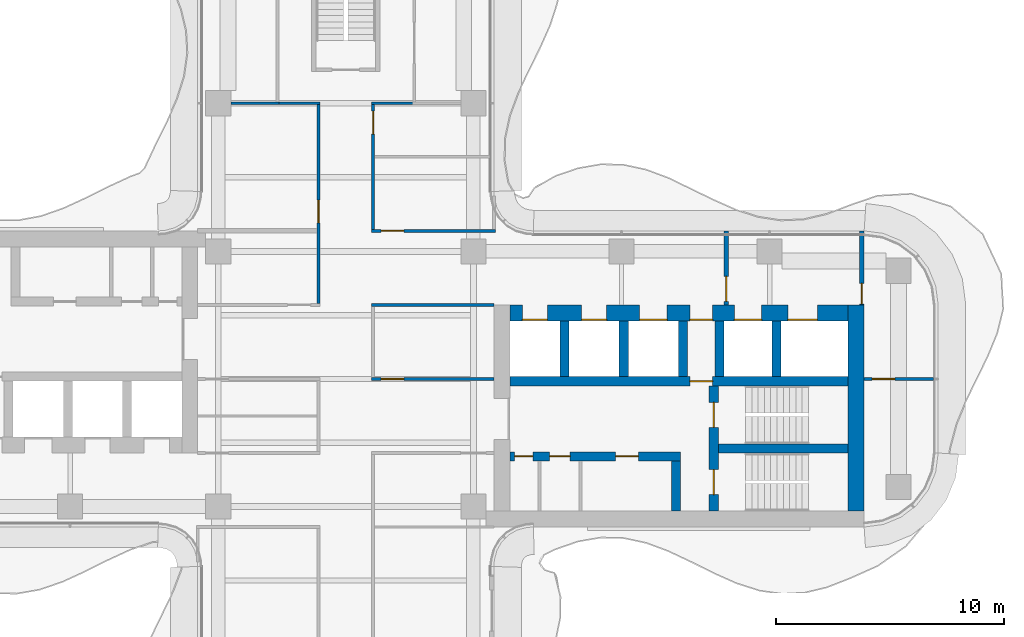
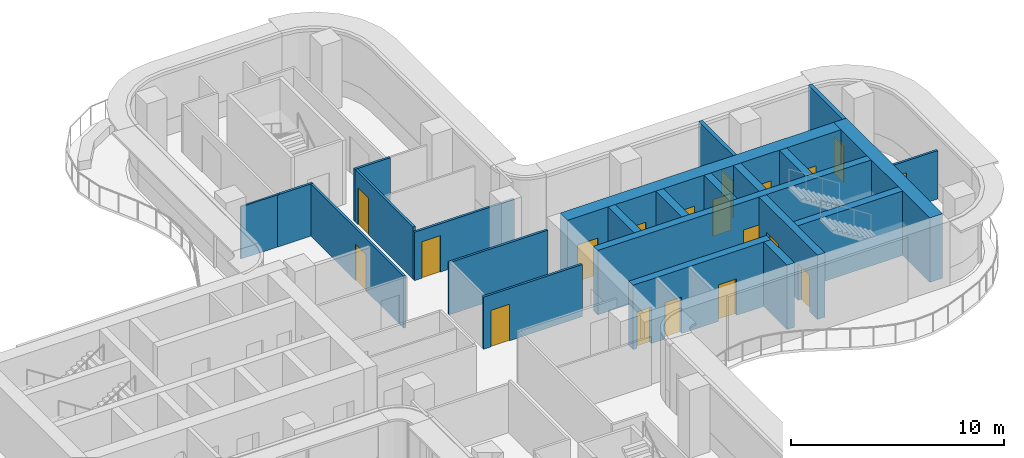
# One storey, part 14 of 17: 23 walls, 19 doors, 19 openings.
"""IFC4 building model written with IfcOpenShell, lengths in metres."""

from ifc_helpers import new_model, si_unit, direction, frame, frame_2d, origin, place, context, subcontext, project, spatial, rectangle, extrude, source, transform, mapped, material, layer, layer_set, type_object, element, fill, save


model = new_model("IFC4")

# Units and contexts
model_context = context("Model", 3, precision=1e-05, world=origin(), true_north=direction((0.0, 1.0)))
body_context = subcontext(model_context, "Body", "Model", "MODEL_VIEW")
ifc_project = project(units=[si_unit("LENGTHUNIT", "METRE"), si_unit("AREAUNIT", "SQUARE_METRE"), si_unit("VOLUMEUNIT", "CUBIC_METRE"), si_unit("PLANEANGLEUNIT", "RADIAN"), si_unit("MASSUNIT", "GRAM", prefix="KILO")], contexts=[model_context])

# Site, building, storey
site_placement = place(None, origin())
site = spatial("IfcSite", under=ifc_project, at=site_placement, CompositionType="ELEMENT")
building_placement = place(site_placement, origin())
building = spatial("IfcBuilding", under=site, at=building_placement, Name="Trellis Farm Tower", CompositionType="ELEMENT")
storey_placement = place(building_placement, frame((0.0, 0.0, 244.10009765625)))
storey = spatial("IfcBuildingStorey", under=building, at=storey_placement, Name="L54", CompositionType="ELEMENT", Elevation=244.10009765625)

# Walls
ifc_material_1 = material(Name="Concrete C60/75", Category="concrete")
ifc_layer_1 = layer(ifc_material_1, 0.699951171875)
ifc_layer_set_1 = layer_set([ifc_layer_1], Name="CORE OUTER WALL 700 CONCRETE C60/75")
wall_type_1 = type_object("IfcWallType", Name="CORE OUTER WALL 700 CONCRETE C60/75", PredefinedType="SHEAR", material=ifc_layer_set_1)
shared_shape_1 = source(origin(), body_context, "Body", "SweptSolid", [
    extrude(rectangle(XDim=9.050048828125, YDim=0.699951171875, at=frame_2d((4.52490234375, 0.0))), origin(), (0.0, 0.0, 1.0), 3.699951171875),
])
wall_1_placement = place(storey_placement, frame((22.39990234375, -5.800048828125, 0.0), z_axis=(0.0, 0.0, 1.0), x_axis=(0.0, 1.0, 0.0)))
element("IfcWall", 1, at=wall_1_placement, inside=storey, type_object=wall_type_1, Name="Core wall", PredefinedType="SHEAR", context=body_context, shape_type="MappedRepresentation", body=[
    mapped(shared_shape_1, transform((0.0, 0.0, 0.0))),
])
ifc_layer_2 = layer(ifc_material_1, 0.39990234375)
ifc_layer_set_2 = layer_set([ifc_layer_2], Name="CORE INNER WALL 400 CONCRETE C60/75")
wall_type_2 = type_object("IfcWallType", Name="CORE INNER WALL 400 CONCRETE C60/75", PredefinedType="SHEAR", material=ifc_layer_set_2)
shared_shape_2 = source(origin(), body_context, "Body", "SweptSolid", [
    extrude(rectangle(XDim=2.449951171875, YDim=0.39990234375, at=frame_2d((1.22509765625, 0.0))), origin(), (0.0, 0.0, 1.0), 3.699951171875),
])
for number, where, z_axis, x_axis, name in (
    (2, (9.60009765625, 0.10009765625, 0.0), (0.0, 0.0, 1.0), (0.0, 1.0, 0.0), "Core wall"),
    (3, (12.199951171875, 0.10009765625, 0.0), (0.0, 0.0, 1.0), (0.0, 1.0, 0.0), "Core wall"),
    (4, (14.800048828125, 0.10009765625, 0.0), (0.0, 0.0, 1.0), (0.0, 1.0, 0.0), "Core wall"),
    (5, (16.39990234375, 0.10009765625, 0.0), (0.0, 0.0, 1.0), (0.0, 1.0, 0.0), "Core wall"),
    (6, (18.89990234375, 0.10009765625, 0.0), (0.0, 0.0, 1.0), (0.0, 1.0, 0.0), "Core wall"),
):
    element("IfcWall", number, at=place(storey_placement, frame(where, z_axis=z_axis, x_axis=x_axis)), inside=storey, type_object=wall_type_2, Name=name, PredefinedType="SHEAR", context=body_context, shape_type="MappedRepresentation", body=[
        mapped(shared_shape_2, transform((0.0, 0.0, 0.0))),
    ])

# Wall, opening, door
ifc_material_2 = material(Name="Masonry blockwork", Category="masonry")
ifc_layer_3 = layer(ifc_material_2, 0.199951171875)
ifc_layer_set_3 = layer_set([ifc_layer_3], Name="FIRE LOBBY PARTITION 200 BLOCKWORK")
wall_type_3 = type_object("IfcWallType", Name="FIRE LOBBY PARTITION 200 BLOCKWORK", PredefinedType="PARTITIONING", material=ifc_layer_set_3)
shared_shape_3 = source(origin(), body_context, "Body", "SweptSolid", [
    extrude(rectangle(XDim=3.25, YDim=0.199951171875, at=frame_2d((1.625, 0.0))), origin(), (0.0, 0.0, 1.0), 3.699951171875),
])
wall_2_placement = place(storey_placement, frame((16.699951171875, 3.25, 0.0), z_axis=(0.0, 0.0, 1.0), x_axis=(0.0, 1.0, 0.0)))
wall_2 = element("IfcWall", 7, at=wall_2_placement, inside=storey, type_object=wall_type_3, Name="Fire-fighting lobby partition", PredefinedType="PARTITIONING", context=body_context, shape_type="MappedRepresentation", body=[
    mapped(shared_shape_3, transform((0.0, 0.0, 0.0))),
])
shared_shape_4 = source(origin(), body_context, "Body", "SweptSolid", [
    extrude(rectangle(XDim=1.10009765625, YDim=2.10009765625, at=frame_2d((0.550048828125, 1.050048828125))), frame((0.0, 0.110107421875, 0.0), z_axis=(0.0, -1.0, 0.0), x_axis=(1.0, 0.0, 0.0)), (0.0, 0.0, 1.0), 0.22021484375),
])
opening_1_placement = place(wall_2_placement, frame((0.14990234375, 0.0, 0.0)))
opening_1 = element("IfcOpeningElement", 8, at=opening_1_placement, cuts=wall_2, Name="Opening DC7", PredefinedType="OPENING", context=body_context, shape_type="MappedRepresentation", body=[
    mapped(shared_shape_4, transform((0.0, 0.0, 0.0))),
])
ifc_material_3 = material(Name="Steel", Category="steel")
door_type_1 = type_object("IfcDoorType", Name="CORE FIRE DOOR 1100 X 2100", OperationType="NOTDEFINED", PredefinedType="DOOR", material=ifc_material_3)
shared_shape_5 = source(origin(), body_context, "Body", "SweptSolid", [
    extrude(rectangle(XDim=1.10009765625, YDim=2.10009765625, at=frame_2d((0.550048828125, 1.050048828125))), frame((0.0, 0.02490234375, 0.0), z_axis=(0.0, -1.0, 0.0), x_axis=(1.0, 0.0, 0.0)), (0.0, 0.0, 1.0), 0.050048828125),
])
door_1_placement = place(opening_1_placement, origin())
door_1 = element("IfcDoor", 9, at=door_1_placement, inside=storey, type_object=door_type_1, Name="Core door", OperationType="SINGLE_SWING_RIGHT", OverallHeight=2.10009765625, OverallWidth=1.10009765625, PredefinedType="DOOR", context=body_context, shape_type="MappedRepresentation", body=[
    mapped(shared_shape_5, transform((0.0, 0.0, 0.0))),
])
fill(opening_1, door_1)

wall_3_placement = place(storey_placement, frame((22.64990234375, 3.25, 0.0), z_axis=(0.0, 0.0, 1.0), x_axis=(0.0, 1.0, 0.0)))
wall_3 = element("IfcWall", 10, at=wall_3_placement, inside=storey, type_object=wall_type_3, Name="Fire-fighting lobby partition", PredefinedType="PARTITIONING", context=body_context, shape_type="MappedRepresentation", body=[
    mapped(shared_shape_3, transform((0.0, 0.0, 0.0))),
])
shared_shape_6 = source(origin(), body_context, "Body", "SweptSolid", [
    extrude(rectangle(XDim=0.89990234375, YDim=2.10009765625, at=frame_2d((0.449951171875, 1.050048828125))), frame((0.0, 0.110107421875, 0.0), z_axis=(0.0, -1.0, 0.0), x_axis=(1.0, 0.0, 0.0)), (0.0, 0.0, 1.0), 0.22021484375),
])
opening_2_placement = place(wall_3_placement, frame((0.050048828125, 0.0, 0.0)))
opening_2 = element("IfcOpeningElement", 11, at=opening_2_placement, cuts=wall_3, Name="Opening DC8", PredefinedType="OPENING", context=body_context, shape_type="MappedRepresentation", body=[
    mapped(shared_shape_6, transform((0.0, 0.0, 0.0))),
])
door_type_2 = type_object("IfcDoorType", Name="CORE FIRE DOOR 900 X 2100", OperationType="NOTDEFINED", PredefinedType="DOOR", material=ifc_material_3)
shared_shape_7 = source(origin(), body_context, "Body", "SweptSolid", [
    extrude(rectangle(XDim=0.89990234375, YDim=2.10009765625, at=frame_2d((0.449951171875, 1.050048828125))), frame((0.0, 0.02490234375, 0.0), z_axis=(0.0, -1.0, 0.0), x_axis=(1.0, 0.0, 0.0)), (0.0, 0.0, 1.0), 0.050048828125),
])
door_2_placement = place(opening_2_placement, origin())
door_2 = element("IfcDoor", 12, at=door_2_placement, inside=storey, type_object=door_type_2, Name="Core door", OperationType="SINGLE_SWING_RIGHT", OverallHeight=2.10009765625, OverallWidth=0.89990234375, PredefinedType="DOOR", context=body_context, shape_type="MappedRepresentation", body=[
    mapped(shared_shape_7, transform((0.0, 0.0, 0.0))),
])
fill(opening_2, door_2)

# Wall, openings, doors
shared_shape_8 = source(origin(), body_context, "Body", "SweptSolid", [
    extrude(rectangle(XDim=14.85009765625, YDim=0.699951171875, at=frame_2d((7.425048828125, 0.0))), origin(), (0.0, 0.0, 1.0), 3.699951171875),
])
wall_4_placement = place(storey_placement, frame((7.199951171875, 2.89990234375, 0.0), z_axis=(0.0, 0.0, 1.0), x_axis=(1.0, 0.0, 0.0)))
wall_4 = element("IfcWall", 13, at=wall_4_placement, inside=storey, type_object=wall_type_1, Name="Core wall", PredefinedType="SHEAR", context=body_context, shape_type="MappedRepresentation", body=[
    mapped(shared_shape_8, transform((0.0, 0.0, 0.0))),
])
shared_shape_9 = source(origin(), body_context, "Body", "SweptSolid", [
    extrude(rectangle(XDim=1.10009765625, YDim=2.10009765625, at=frame_2d((0.550048828125, 1.050048828125))), frame((0.0, 0.360107421875, 0.0), z_axis=(0.0, -1.0, 0.0), x_axis=(1.0, 0.0, 0.0)), (0.0, 0.0, 1.0), 0.72021484375),
])
opening_3_placement = place(wall_4_placement, frame((0.550048828125, 0.0, 0.0)))
opening_3 = element("IfcOpeningElement", 14, at=opening_3_placement, cuts=wall_4, Name="Opening LD4", PredefinedType="OPENING", context=body_context, shape_type="MappedRepresentation", body=[
    mapped(shared_shape_9, transform((0.0, 0.0, 0.0))),
])
opening_4_placement = place(wall_4_placement, frame((3.14990234375, 0.0, 0.0)))
opening_4 = element("IfcOpeningElement", 15, at=opening_4_placement, cuts=wall_4, Name="Opening LD5", PredefinedType="OPENING", context=body_context, shape_type="MappedRepresentation", body=[
    mapped(shared_shape_9, transform((0.0, 0.0, 0.0))),
])
shared_shape_10 = source(origin(), body_context, "Body", "SweptSolid", [
    extrude(rectangle(XDim=1.199951171875, YDim=2.10009765625, at=frame_2d((0.60009765625, 1.050048828125))), frame((0.0, 0.360107421875, 0.0), z_axis=(0.0, -1.0, 0.0), x_axis=(1.0, 0.0, 0.0)), (0.0, 0.0, 1.0), 0.72021484375),
])
opening_5_placement = place(wall_4_placement, frame((5.699951171875, 0.0, 0.0)))
opening_5 = element("IfcOpeningElement", 16, at=opening_5_placement, cuts=wall_4, Name="Opening LD6", PredefinedType="OPENING", context=body_context, shape_type="MappedRepresentation", body=[
    mapped(shared_shape_10, transform((0.0, 0.0, 0.0))),
])
shared_shape_11 = source(origin(), body_context, "Body", "SweptSolid", [
    extrude(rectangle(XDim=1.300048828125, YDim=2.10009765625, at=frame_2d((0.64990234375, 1.050048828125))), frame((0.0, 0.360107421875, 0.0), z_axis=(0.0, -1.0, 0.0), x_axis=(1.0, 0.0, 0.0)), (0.0, 0.0, 1.0), 0.72021484375),
])
opening_6_placement = place(wall_4_placement, frame((12.199951171875, 0.0, 0.0)))
opening_6 = element("IfcOpeningElement", 17, at=opening_6_placement, cuts=wall_4, Name="Opening LD7", PredefinedType="OPENING", context=body_context, shape_type="MappedRepresentation", body=[
    mapped(shared_shape_11, transform((0.0, 0.0, 0.0))),
])
opening_7_placement = place(wall_4_placement, frame((9.85009765625, 0.0, 0.0)))
opening_7 = element("IfcOpeningElement", 18, at=opening_7_placement, cuts=wall_4, Name="Opening LD8", PredefinedType="OPENING", context=body_context, shape_type="MappedRepresentation", body=[
    mapped(shared_shape_10, transform((0.0, 0.0, 0.0))),
])
shared_shape_12 = source(origin(), body_context, "Body", "SweptSolid", [
    extrude(rectangle(XDim=1.0, YDim=2.10009765625, at=frame_2d((0.5, 1.050048828125))), frame((0.0, 0.360107421875, 0.0), z_axis=(0.0, -1.0, 0.0), x_axis=(1.0, 0.0, 0.0)), (0.0, 0.0, 1.0), 0.72021484375),
])
opening_8_placement = place(wall_4_placement, frame((7.89990234375, 0.0, 0.0)))
opening_8 = element("IfcOpeningElement", 19, at=opening_8_placement, cuts=wall_4, Name="Opening DC6", PredefinedType="OPENING", context=body_context, shape_type="MappedRepresentation", body=[
    mapped(shared_shape_12, transform((0.0, 0.0, 0.0))),
])
door_type_3 = type_object("IfcDoorType", Name="CORE FIRE DOOR 1000 X 2100", OperationType="NOTDEFINED", PredefinedType="DOOR", material=ifc_material_3)
shared_shape_13 = source(origin(), body_context, "Body", "SweptSolid", [
    extrude(rectangle(XDim=1.0, YDim=2.10009765625, at=frame_2d((0.5, 1.050048828125))), frame((0.0, -0.27490234375, 0.0), z_axis=(0.0, -1.0, 0.0), x_axis=(1.0, 0.0, 0.0)), (0.0, 0.0, 1.0), 0.050048828125),
])
door_3_placement = place(opening_8_placement, origin())
door_3 = element("IfcDoor", 20, at=door_3_placement, inside=storey, type_object=door_type_3, Name="Core door", OperationType="SINGLE_SWING_LEFT", OverallHeight=2.10009765625, OverallWidth=1.0, PredefinedType="DOOR", context=body_context, shape_type="MappedRepresentation", body=[
    mapped(shared_shape_13, transform((0.0, 0.0, 0.0))),
])
fill(opening_8, door_3)
ifc_material_4 = material(Name="Stainless steel", Category="steel")
door_type_4 = type_object("IfcDoorType", Name="LIFT LANDING DOOR 1300 X 2100", OperationType="DOUBLE_DOOR_SLIDING", PredefinedType="DOOR", material=ifc_material_4)
shared_shape_14 = source(origin(), body_context, "Body", "SweptSolid", [
    extrude(rectangle(XDim=1.300048828125, YDim=2.10009765625, at=frame_2d((0.64990234375, 1.050048828125))), frame((0.0, -0.27490234375, 0.0), z_axis=(0.0, -1.0, 0.0), x_axis=(1.0, 0.0, 0.0)), (0.0, 0.0, 1.0), 0.050048828125),
])
door_4_placement = place(opening_6_placement, origin())
door_4 = element("IfcDoor", 21, at=door_4_placement, inside=storey, type_object=door_type_4, Name="Lift landing door", OperationType="DOUBLE_DOOR_SLIDING", OverallHeight=2.10009765625, OverallWidth=1.300048828125, PredefinedType="DOOR", context=body_context, shape_type="MappedRepresentation", body=[
    mapped(shared_shape_14, transform((0.0, 0.0, 0.0))),
])
fill(opening_6, door_4)
door_type_5 = type_object("IfcDoorType", Name="LIFT LANDING DOOR 1200 X 2100", OperationType="DOUBLE_DOOR_SLIDING", PredefinedType="DOOR", material=ifc_material_4)
shared_shape_15 = source(origin(), body_context, "Body", "SweptSolid", [
    extrude(rectangle(XDim=1.199951171875, YDim=2.10009765625, at=frame_2d((0.60009765625, 1.050048828125))), frame((0.0, -0.27490234375, 0.0), z_axis=(0.0, -1.0, 0.0), x_axis=(1.0, 0.0, 0.0)), (0.0, 0.0, 1.0), 0.050048828125),
])
door_5_placement = place(opening_5_placement, origin())
door_5 = element("IfcDoor", 22, at=door_5_placement, inside=storey, type_object=door_type_5, Name="Lift landing door", OperationType="DOUBLE_DOOR_SLIDING", OverallHeight=2.10009765625, OverallWidth=1.199951171875, PredefinedType="DOOR", context=body_context, shape_type="MappedRepresentation", body=[
    mapped(shared_shape_15, transform((0.0, 0.0, 0.0))),
])
fill(opening_5, door_5)
door_6_placement = place(opening_7_placement, origin())
door_6 = element("IfcDoor", 23, at=door_6_placement, inside=storey, type_object=door_type_5, Name="Lift landing door", OperationType="DOUBLE_DOOR_SLIDING", OverallHeight=2.10009765625, OverallWidth=1.199951171875, PredefinedType="DOOR", context=body_context, shape_type="MappedRepresentation", body=[
    mapped(shared_shape_15, transform((0.0, 0.0, 0.0))),
])
fill(opening_7, door_6)
door_type_6 = type_object("IfcDoorType", Name="LIFT LANDING DOOR 1100 X 2100", OperationType="DOUBLE_DOOR_SLIDING", PredefinedType="DOOR", material=ifc_material_4)
shared_shape_16 = source(origin(), body_context, "Body", "SweptSolid", [
    extrude(rectangle(XDim=1.10009765625, YDim=2.10009765625, at=frame_2d((0.550048828125, 1.050048828125))), frame((0.0, -0.27490234375, 0.0), z_axis=(0.0, -1.0, 0.0), x_axis=(1.0, 0.0, 0.0)), (0.0, 0.0, 1.0), 0.050048828125),
])
door_7_placement = place(opening_3_placement, origin())
door_7 = element("IfcDoor", 24, at=door_7_placement, inside=storey, type_object=door_type_6, Name="Lift landing door", OperationType="DOUBLE_DOOR_SLIDING", OverallHeight=2.10009765625, OverallWidth=1.10009765625, PredefinedType="DOOR", context=body_context, shape_type="MappedRepresentation", body=[
    mapped(shared_shape_16, transform((0.0, 0.0, 0.0))),
])
fill(opening_3, door_7)
door_8_placement = place(opening_4_placement, origin())
door_8 = element("IfcDoor", 25, at=door_8_placement, inside=storey, type_object=door_type_6, Name="Lift landing door", OperationType="DOUBLE_DOOR_SLIDING", OverallHeight=2.10009765625, OverallWidth=1.10009765625, PredefinedType="DOOR", context=body_context, shape_type="MappedRepresentation", body=[
    mapped(shared_shape_16, transform((0.0, 0.0, 0.0))),
])
fill(opening_4, door_8)

shared_shape_17 = source(origin(), body_context, "Body", "SweptSolid", [
    extrude(rectangle(XDim=7.5, YDim=0.39990234375, at=frame_2d((3.75, 0.0))), origin(), (0.0, 0.0, 1.0), 3.699951171875),
])
wall_5_placement = place(storey_placement, frame((7.199951171875, -3.39990234375, 0.0), z_axis=(0.0, 0.0, 1.0), x_axis=(1.0, 0.0, 0.0)))
wall_5 = element("IfcWall", 26, at=wall_5_placement, inside=storey, type_object=wall_type_2, Name="Core wall", PredefinedType="SHEAR", context=body_context, shape_type="MappedRepresentation", body=[
    mapped(shared_shape_17, transform((0.0, 0.0, 0.0))),
])
shared_shape_18 = source(origin(), body_context, "Body", "SweptSolid", [
    extrude(rectangle(XDim=0.800048828125, YDim=2.10009765625, at=frame_2d((0.39990234375, 1.050048828125))), frame((0.0, 0.2099609375, 0.0), z_axis=(0.0, -1.0, 0.0), x_axis=(1.0, 0.0, 0.0)), (0.0, 0.0, 1.0), 0.419921875),
])
opening_9_placement = place(wall_5_placement, frame((0.21240234375, 0.0, 0.0)))
opening_9 = element("IfcOpeningElement", 27, at=opening_9_placement, cuts=wall_5, Name="Opening DC51", PredefinedType="OPENING", context=body_context, shape_type="MappedRepresentation", body=[
    mapped(shared_shape_18, transform((0.0, 0.0, 0.0))),
])
shared_shape_19 = source(origin(), body_context, "Body", "SweptSolid", [
    extrude(rectangle(XDim=0.89990234375, YDim=2.10009765625, at=frame_2d((0.449951171875, 1.050048828125))), frame((0.0, 0.2099609375, 0.0), z_axis=(0.0, -1.0, 0.0), x_axis=(1.0, 0.0, 0.0)), (0.0, 0.0, 1.0), 0.419921875),
])
opening_10_placement = place(wall_5_placement, frame((1.75, 0.0, 0.0)))
opening_10 = element("IfcOpeningElement", 28, at=opening_10_placement, cuts=wall_5, Name="Opening DC60", PredefinedType="OPENING", context=body_context, shape_type="MappedRepresentation", body=[
    mapped(shared_shape_19, transform((0.0, 0.0, 0.0))),
])
shared_shape_20 = source(origin(), body_context, "Body", "SweptSolid", [
    extrude(rectangle(XDim=1.0, YDim=2.10009765625, at=frame_2d((0.5, 1.050048828125))), frame((0.0, 0.2099609375, 0.0), z_axis=(0.0, -1.0, 0.0), x_axis=(1.0, 0.0, 0.0)), (0.0, 0.0, 1.0), 0.419921875),
])
opening_11_placement = place(wall_5_placement, frame((4.637451171875, 0.0, 0.0)))
opening_11 = element("IfcOpeningElement", 29, at=opening_11_placement, cuts=wall_5, Name="Opening DC67", PredefinedType="OPENING", context=body_context, shape_type="MappedRepresentation", body=[
    mapped(shared_shape_20, transform((0.0, 0.0, 0.0))),
])
shared_shape_21 = source(origin(), body_context, "Body", "SweptSolid", [
    extrude(rectangle(XDim=1.0, YDim=2.10009765625, at=frame_2d((0.5, 1.050048828125))), frame((0.0, 0.02490234375, 0.0), z_axis=(0.0, -1.0, 0.0), x_axis=(1.0, 0.0, 0.0)), (0.0, 0.0, 1.0), 0.050048828125),
])
door_9_placement = place(opening_11_placement, origin())
door_9 = element("IfcDoor", 30, at=door_9_placement, inside=storey, type_object=door_type_3, Name="Core door", OperationType="SINGLE_SWING_LEFT", OverallHeight=2.10009765625, OverallWidth=1.0, PredefinedType="DOOR", context=body_context, shape_type="MappedRepresentation", body=[
    mapped(shared_shape_21, transform((0.0, 0.0, 0.0))),
])
fill(opening_11, door_9)
door_10_placement = place(opening_10_placement, origin())
door_10 = element("IfcDoor", 31, at=door_10_placement, inside=storey, type_object=door_type_2, Name="Core door", OperationType="SINGLE_SWING_RIGHT", OverallHeight=2.10009765625, OverallWidth=0.89990234375, PredefinedType="DOOR", context=body_context, shape_type="MappedRepresentation", body=[
    mapped(shared_shape_7, transform((0.0, 0.0, 0.0))),
])
fill(opening_10, door_10)
door_type_7 = type_object("IfcDoorType", Name="CORE FIRE DOOR 800 X 2100", OperationType="NOTDEFINED", PredefinedType="DOOR", material=ifc_material_3)
shared_shape_22 = source(origin(), body_context, "Body", "SweptSolid", [
    extrude(rectangle(XDim=0.800048828125, YDim=2.10009765625, at=frame_2d((0.39990234375, 1.050048828125))), frame((0.0, 0.02490234375, 0.0), z_axis=(0.0, -1.0, 0.0), x_axis=(1.0, 0.0, 0.0)), (0.0, 0.0, 1.0), 0.050048828125),
])
door_11_placement = place(opening_9_placement, origin())
door_11 = element("IfcDoor", 32, at=door_11_placement, inside=storey, type_object=door_type_7, Name="Core door", OperationType="SINGLE_SWING_LEFT", OverallHeight=2.10009765625, OverallWidth=0.800048828125, PredefinedType="DOOR", context=body_context, shape_type="MappedRepresentation", body=[
    mapped(shared_shape_22, transform((0.0, 0.0, 0.0))),
])
fill(opening_9, door_11)

# Wall, opening, door
shared_shape_23 = source(origin(), body_context, "Body", "SweptSolid", [
    extrude(rectangle(XDim=14.85009765625, YDim=0.39990234375, at=frame_2d((7.425048828125, 0.0))), origin(), (0.0, 0.0, 1.0), 3.699951171875),
])
wall_6_placement = place(storey_placement, frame((7.199951171875, -0.10009765625, 0.0), z_axis=(0.0, 0.0, 1.0), x_axis=(1.0, 0.0, 0.0)))
wall_6 = element("IfcWall", 33, at=wall_6_placement, inside=storey, type_object=wall_type_2, Name="Core wall", PredefinedType="SHEAR", context=body_context, shape_type="MappedRepresentation", body=[
    mapped(shared_shape_23, transform((0.0, 0.0, 0.0))),
])
opening_12_placement = place(wall_6_placement, frame((7.89990234375, 0.0, 0.0)))
opening_12 = element("IfcOpeningElement", 34, at=opening_12_placement, cuts=wall_6, Name="Opening DC5", PredefinedType="OPENING", context=body_context, shape_type="MappedRepresentation", body=[
    mapped(shared_shape_20, transform((0.0, 0.0, 0.0))),
])
door_12_placement = place(opening_12_placement, origin())
door_12 = element("IfcDoor", 35, at=door_12_placement, inside=storey, type_object=door_type_3, Name="Core door", OperationType="SINGLE_SWING_RIGHT", OverallHeight=2.10009765625, OverallWidth=1.0, PredefinedType="DOOR", context=body_context, shape_type="MappedRepresentation", body=[
    mapped(shared_shape_21, transform((0.0, 0.0, 0.0))),
])
fill(opening_12, door_12)

# Wall, openings, doors
shared_shape_24 = source(origin(), body_context, "Body", "SweptSolid", [
    extrude(rectangle(XDim=5.5, YDim=0.39990234375, at=frame_2d((2.75, 0.0))), origin(), (0.0, 0.0, 1.0), 3.699951171875),
])
wall_7_placement = place(storey_placement, frame((16.14990234375, -5.800048828125, 0.0), z_axis=(0.0, 0.0, 1.0), x_axis=(0.0, 1.0, 0.0)))
wall_7 = element("IfcWall", 36, at=wall_7_placement, inside=storey, type_object=wall_type_2, Name="Core wall", PredefinedType="SHEAR", context=body_context, shape_type="MappedRepresentation", body=[
    mapped(shared_shape_24, transform((0.0, 0.0, 0.0))),
])
shared_shape_25 = source(origin(), body_context, "Body", "SweptSolid", [
    extrude(rectangle(XDim=1.10009765625, YDim=2.10009765625, at=frame_2d((0.550048828125, 1.050048828125))), frame((0.0, 0.2099609375, 0.0), z_axis=(0.0, -1.0, 0.0), x_axis=(1.0, 0.0, 0.0)), (0.0, 0.0, 1.0), 0.419921875),
])
opening_13_placement = place(wall_7_placement, frame((0.72509765625, 0.0, 0.0)))
opening_13 = element("IfcOpeningElement", 37, at=opening_13_placement, cuts=wall_7, Name="Opening DC2", PredefinedType="OPENING", context=body_context, shape_type="MappedRepresentation", body=[
    mapped(shared_shape_25, transform((0.0, 0.0, 0.0))),
])
opening_14_placement = place(wall_7_placement, frame((3.675048828125, 0.0, 0.0)))
opening_14 = element("IfcOpeningElement", 38, at=opening_14_placement, cuts=wall_7, Name="Opening DC3", PredefinedType="OPENING", context=body_context, shape_type="MappedRepresentation", body=[
    mapped(shared_shape_25, transform((0.0, 0.0, 0.0))),
])
door_13_placement = place(opening_13_placement, origin())
door_13 = element("IfcDoor", 39, at=door_13_placement, inside=storey, type_object=door_type_1, Name="Core door", OperationType="SINGLE_SWING_RIGHT", OverallHeight=2.10009765625, OverallWidth=1.10009765625, PredefinedType="DOOR", context=body_context, shape_type="MappedRepresentation", body=[
    mapped(shared_shape_5, transform((0.0, 0.0, 0.0))),
])
fill(opening_13, door_13)
door_14_placement = place(opening_14_placement, origin())
door_14 = element("IfcDoor", 40, at=door_14_placement, inside=storey, type_object=door_type_1, Name="Core door", OperationType="SINGLE_SWING_LEFT", OverallHeight=2.10009765625, OverallWidth=1.10009765625, PredefinedType="DOOR", context=body_context, shape_type="MappedRepresentation", body=[
    mapped(shared_shape_5, transform((0.0, 0.0, 0.0))),
])
fill(opening_14, door_14)

# Walls
shared_shape_26 = source(origin(), body_context, "Body", "SweptSolid", [
    extrude(rectangle(XDim=5.699951171875, YDim=0.39990234375, at=frame_2d((2.85009765625, 0.0))), origin(), (0.0, 0.0, 1.0), 3.699951171875),
])
wall_8_placement = place(storey_placement, frame((16.35009765625, -3.050048828125, 0.0), z_axis=(0.0, 0.0, 1.0), x_axis=(1.0, 0.0, 0.0)))
element("IfcWall", 41, at=wall_8_placement, inside=storey, type_object=wall_type_2, Name="Core wall", PredefinedType="SHEAR", context=body_context, shape_type="MappedRepresentation", body=[
    mapped(shared_shape_26, transform((0.0, 0.0, 0.0))),
])
shared_shape_27 = source(origin(), body_context, "Body", "SweptSolid", [
    extrude(rectangle(XDim=2.199951171875, YDim=0.39990234375, at=frame_2d((1.10009765625, 0.0))), origin(), (0.0, 0.0, 1.0), 3.699951171875),
])
wall_9_placement = place(storey_placement, frame((14.5, -5.800048828125, 0.0), z_axis=(0.0, 0.0, 1.0), x_axis=(0.0, 1.0, 0.0)))
element("IfcWall", 42, at=wall_9_placement, inside=storey, type_object=wall_type_2, Name="Core wall", PredefinedType="SHEAR", context=body_context, shape_type="MappedRepresentation", body=[
    mapped(shared_shape_27, transform((0.0, 0.0, 0.0))),
])

# Wall, opening, door
ifc_material_5 = material(Name="Plasterboard on steel studs, mineral wool", Category="steel")
ifc_layer_4 = layer(ifc_material_5, 0.125)
ifc_layer_set_4 = layer_set([ifc_layer_4], Name="PARTITION 125 STUD EI 60")
wall_type_4 = type_object("IfcWallType", Name="PARTITION 125 STUD EI 60", PredefinedType="PARTITIONING", material=ifc_layer_set_4)
shared_shape_28 = source(origin(), body_context, "Body", "SweptSolid", [
    extrude(rectangle(XDim=5.47509765625, YDim=0.125, at=frame_2d((2.737548828125, 0.0))), origin(), (0.0, 0.0, 1.0), 2.99658203125),
])
wall_10_placement = place(storey_placement, frame((1.199951171875, 12.03759765625, 0.0), z_axis=(0.0, 0.0, 1.0), x_axis=(0.0, -1.0, 0.0)))
wall_10 = element("IfcWall", 43, at=wall_10_placement, inside=storey, type_object=wall_type_4, Name="Partition PW1", PredefinedType="PARTITIONING", context=body_context, shape_type="MappedRepresentation", body=[
    mapped(shared_shape_28, transform((0.0, 0.0, 0.0))),
])
shared_shape_29 = source(origin(), body_context, "Body", "SweptSolid", [
    extrude(rectangle(XDim=1.0, YDim=2.10009765625, at=frame_2d((0.5, 1.050048828125))), frame((0.0, 0.072509765625, 0.0), z_axis=(0.0, -1.0, 0.0), x_axis=(1.0, 0.0, 0.0)), (0.0, 0.0, 1.0), 0.14501953125),
])
opening_15_placement = place(wall_10_placement, frame((0.28759765625, 0.0, 0.0)))
opening_15 = element("IfcOpeningElement", 44, at=opening_15_placement, cuts=wall_10, Name="Opening D107", PredefinedType="OPENING", context=body_context, shape_type="MappedRepresentation", body=[
    mapped(shared_shape_29, transform((0.0, 0.0, 0.0))),
])
ifc_material_6 = material(Name="Fire-rated timber door leaf in a hollow metal frame", Category="wood")
door_type_8 = type_object("IfcDoorType", Name="DOOR 1000x2100 FD30S", OperationType="NOTDEFINED", PredefinedType="DOOR", material=ifc_material_6)
door_15_placement = place(opening_15_placement, origin())
door_15 = element("IfcDoor", 45, at=door_15_placement, inside=storey, type_object=door_type_8, Name="Door D107", OperationType="SINGLE_SWING_LEFT", OverallHeight=2.10009765625, OverallWidth=1.0, PredefinedType="DOOR", context=body_context, shape_type="MappedRepresentation", body=[
    mapped(shared_shape_21, transform((0.0, 0.0, 0.0))),
])
fill(opening_15, door_15)

shared_shape_30 = source(origin(), body_context, "Body", "SweptSolid", [
    extrude(rectangle(XDim=5.362548828125, YDim=0.125, at=frame_2d((2.68115234375, 0.0))), origin(), (0.0, 0.0, 1.0), 2.99658203125),
])
wall_11_placement = place(storey_placement, frame((6.5, 0.0, 0.0), z_axis=(0.0, 0.0, 1.0), x_axis=(-1.0, 0.0, 0.0)))
wall_11 = element("IfcWall", 46, at=wall_11_placement, inside=storey, type_object=wall_type_4, Name="Partition PW1", PredefinedType="PARTITIONING", context=body_context, shape_type="MappedRepresentation", body=[
    mapped(shared_shape_30, transform((0.0, 0.0, 0.0))),
])
opening_16_placement = place(wall_11_placement, frame((3.949951171875, 0.0, 0.0)))
opening_16 = element("IfcOpeningElement", 47, at=opening_16_placement, cuts=wall_11, Name="Opening D103", PredefinedType="OPENING", context=body_context, shape_type="MappedRepresentation", body=[
    mapped(shared_shape_29, transform((0.0, 0.0, 0.0))),
])
door_16_placement = place(opening_16_placement, origin())
door_16 = element("IfcDoor", 48, at=door_16_placement, inside=storey, type_object=door_type_8, Name="Door D103", OperationType="SINGLE_SWING_RIGHT", OverallHeight=2.10009765625, OverallWidth=1.0, PredefinedType="DOOR", context=body_context, shape_type="MappedRepresentation", body=[
    mapped(shared_shape_21, transform((0.0, 0.0, 0.0))),
])
fill(opening_16, door_16)

# Wall
wall_12_placement = place(storey_placement, frame((1.137451171875, 3.25, 0.0), z_axis=(0.0, 0.0, 1.0), x_axis=(1.0, 0.0, 0.0)))
element("IfcWall", 49, at=wall_12_placement, inside=storey, type_object=wall_type_4, Name="Partition PW1", PredefinedType="PARTITIONING", context=body_context, shape_type="MappedRepresentation", body=[
    mapped(shared_shape_30, transform((0.0, 0.0, 0.0))),
])

# Wall, opening, door
shared_shape_31 = source(origin(), body_context, "Body", "SweptSolid", [
    extrude(rectangle(XDim=8.72509765625, YDim=0.125, at=frame_2d((4.362548828125, 0.0))), origin(), (0.0, 0.0, 1.0), 2.99658203125),
])
wall_13_placement = place(storey_placement, frame((-1.199951171875, 12.03759765625, 0.0), z_axis=(0.0, 0.0, 1.0), x_axis=(0.0, -1.0, 0.0)))
wall_13 = element("IfcWall", 50, at=wall_13_placement, inside=storey, type_object=wall_type_4, Name="Partition PW1", PredefinedType="PARTITIONING", context=body_context, shape_type="MappedRepresentation", body=[
    mapped(shared_shape_31, transform((0.0, 0.0, 0.0))),
])
opening_17_placement = place(wall_13_placement, frame((4.1875, 0.0, 0.0)))
opening_17 = element("IfcOpeningElement", 51, at=opening_17_placement, cuts=wall_13, Name="Opening D106", PredefinedType="OPENING", context=body_context, shape_type="MappedRepresentation", body=[
    mapped(shared_shape_29, transform((0.0, 0.0, 0.0))),
])
door_17_placement = place(opening_17_placement, origin())
door_17 = element("IfcDoor", 52, at=door_17_placement, inside=storey, type_object=door_type_8, Name="Door D106", OperationType="SINGLE_SWING_RIGHT", OverallHeight=2.10009765625, OverallWidth=1.0, PredefinedType="DOOR", context=body_context, shape_type="MappedRepresentation", body=[
    mapped(shared_shape_21, transform((0.0, 0.0, 0.0))),
])
fill(opening_17, door_17)

# Walls
shared_shape_32 = source(origin(), body_context, "Body", "SweptSolid", [
    extrude(rectangle(XDim=1.925048828125, YDim=0.125, at=frame_2d((0.96240234375, 0.0))), origin(), (0.0, 0.0, 1.0), 2.99658203125),
])
for number, where, z_axis, x_axis, name in (
    (53, (-1.137451171875, 12.10009765625, 0.0), (0.0, 0.0, 1.0), (-1.0, 0.0, 0.0), "Partition PW1"),
    (54, (3.0625, 12.10009765625, 0.0), (0.0, 0.0, 1.0), (-1.0, 0.0, 0.0), "Partition PW1"),
):
    element("IfcWall", number, at=place(storey_placement, frame(where, z_axis=z_axis, x_axis=x_axis)), inside=storey, type_object=wall_type_4, Name=name, PredefinedType="PARTITIONING", context=body_context, shape_type="MappedRepresentation", body=[
        mapped(shared_shape_32, transform((0.0, 0.0, 0.0))),
    ])

# Wall, opening, door
shared_shape_33 = source(origin(), body_context, "Body", "SweptSolid", [
    extrude(rectangle(XDim=5.425048828125, YDim=0.125, at=frame_2d((2.71240234375, 0.0))), origin(), (0.0, 0.0, 1.0), 2.77978515625),
])
wall_14_placement = place(storey_placement, frame((1.137451171875, 6.5, 0.0), z_axis=(0.0, 0.0, 1.0), x_axis=(1.0, 0.0, 0.0)))
wall_14 = element("IfcWall", 55, at=wall_14_placement, inside=storey, type_object=wall_type_4, Name="Partition PW1", PredefinedType="PARTITIONING", context=body_context, shape_type="MappedRepresentation", body=[
    mapped(shared_shape_33, transform((0.0, 0.0, 0.0))),
])
opening_18_placement = place(wall_14_placement, frame((0.41259765625, 0.0, 0.0)))
opening_18 = element("IfcOpeningElement", 56, at=opening_18_placement, cuts=wall_14, Name="Opening D105", PredefinedType="OPENING", context=body_context, shape_type="MappedRepresentation", body=[
    mapped(shared_shape_29, transform((0.0, 0.0, 0.0))),
])
door_18_placement = place(opening_18_placement, origin())
door_18 = element("IfcDoor", 57, at=door_18_placement, inside=storey, type_object=door_type_8, Name="Door D105", OperationType="SINGLE_SWING_LEFT", OverallHeight=2.10009765625, OverallWidth=1.0, PredefinedType="DOOR", context=body_context, shape_type="MappedRepresentation", body=[
    mapped(shared_shape_21, transform((0.0, 0.0, 0.0))),
])
fill(opening_18, door_18)

# Wall
ifc_material_7 = material(Name="Plasterboard on steel studs", Category="steel")
ifc_layer_5 = layer(ifc_material_7, 0.10009765625)
ifc_layer_set_5 = layer_set([ifc_layer_5], Name="PARTITION 100 STUD EI 30")
wall_type_5 = type_object("IfcWallType", Name="PARTITION 100 STUD EI 30", PredefinedType="PARTITIONING", material=ifc_layer_set_5)
shared_shape_34 = source(origin(), body_context, "Body", "SweptSolid", [
    extrude(rectangle(XDim=2.112548828125, YDim=0.10009765625, at=frame_2d((1.05615234375, 0.0))), origin(), (0.0, 0.0, 1.0), 2.99658203125),
])
wall_15_placement = place(storey_placement, frame((-5.050048828125, 12.10009765625, 0.0), z_axis=(0.0, 0.0, 1.0), x_axis=(1.0, 0.0, 0.0)))
element("IfcWall", 58, at=wall_15_placement, inside=storey, type_object=wall_type_5, Name="Partition PW2", PredefinedType="PARTITIONING", context=body_context, shape_type="MappedRepresentation", body=[
    mapped(shared_shape_34, transform((0.0, 0.0, 0.0))),
])

# Wall, opening, door
shared_shape_35 = source(origin(), body_context, "Body", "SweptSolid", [
    extrude(rectangle(XDim=3.050048828125, YDim=0.125, at=frame_2d((1.52490234375, 0.0))), origin(), (0.0, 0.0, 1.0), 2.77978515625),
])
wall_16_placement = place(storey_placement, frame((25.800048828125, 0.0, 0.0), z_axis=(0.0, 0.0, 1.0), x_axis=(-1.0, 0.0, 0.0)))
wall_16 = element("IfcWall", 59, at=wall_16_placement, inside=storey, type_object=wall_type_4, Name="Partition PW1", PredefinedType="PARTITIONING", context=body_context, shape_type="MappedRepresentation", body=[
    mapped(shared_shape_35, transform((0.0, 0.0, 0.0))),
])
opening_19_placement = place(wall_16_placement, frame((1.699951171875, 0.0, 0.0)))
opening_19 = element("IfcOpeningElement", 60, at=opening_19_placement, cuts=wall_16, Name="Opening D104", PredefinedType="OPENING", context=body_context, shape_type="MappedRepresentation", body=[
    mapped(shared_shape_29, transform((0.0, 0.0, 0.0))),
])
door_19_placement = place(opening_19_placement, origin())
door_19 = element("IfcDoor", 61, at=door_19_placement, inside=storey, type_object=door_type_8, Name="Door D104", OperationType="SINGLE_SWING_RIGHT", OverallHeight=2.10009765625, OverallWidth=1.0, PredefinedType="DOOR", context=body_context, shape_type="MappedRepresentation", body=[
    mapped(shared_shape_21, transform((0.0, 0.0, 0.0))),
])
fill(opening_19, door_19)

save(model, "model.ifc")
